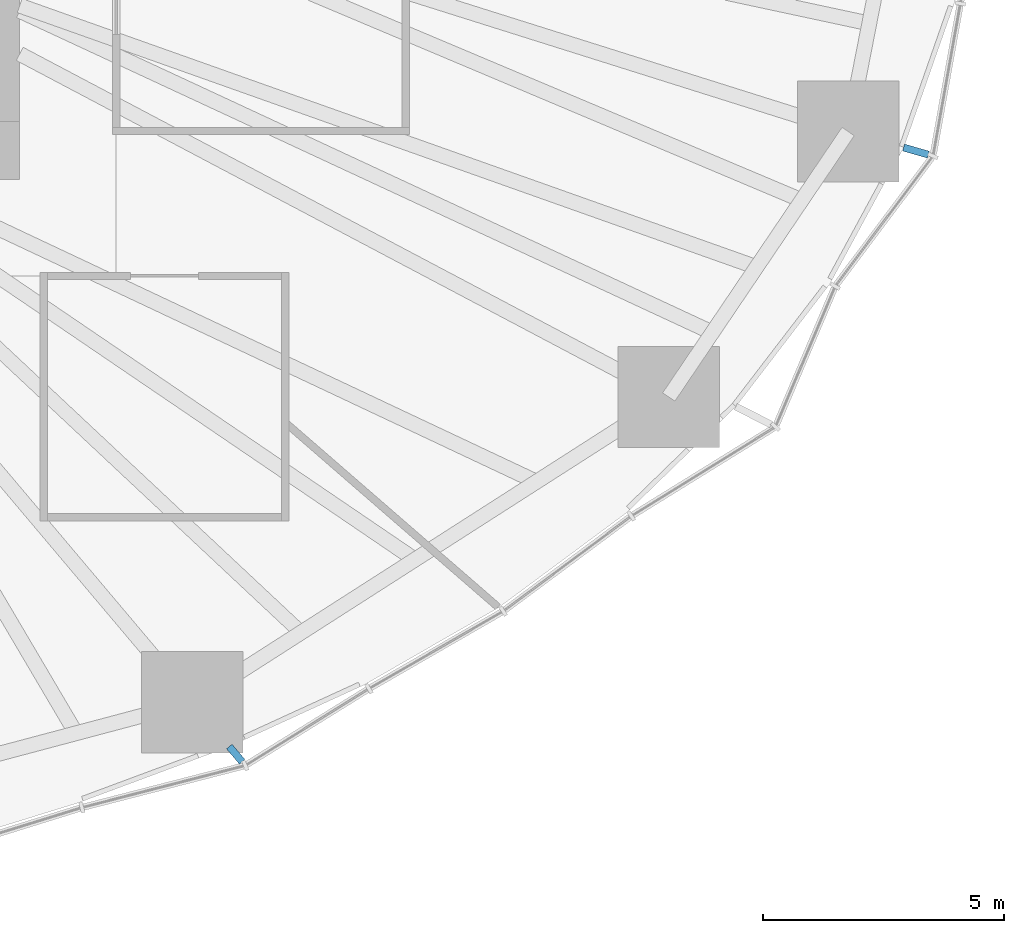
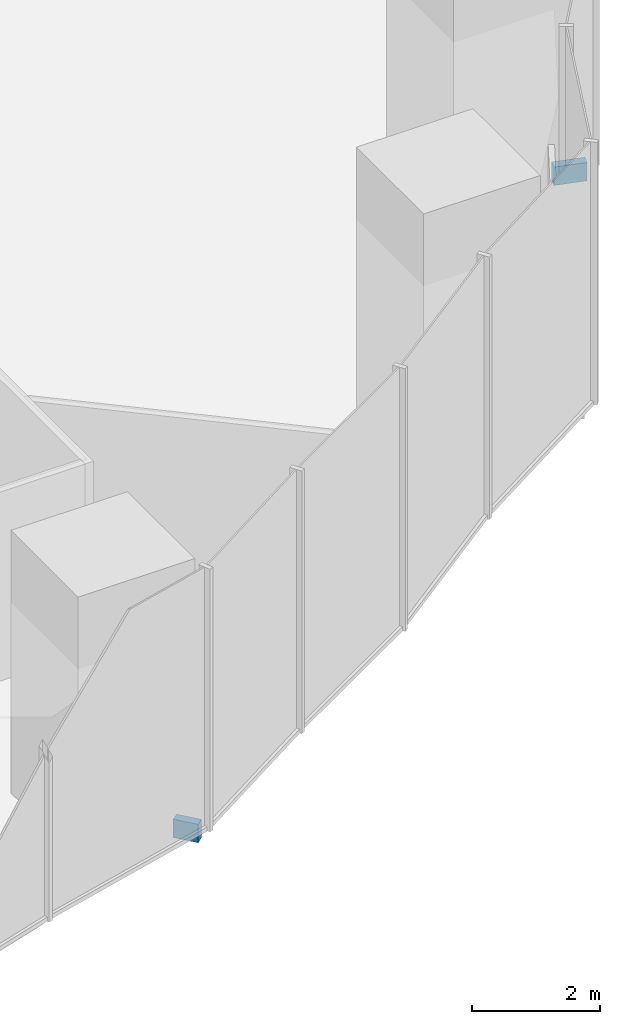
# One storey, part 14 of 20: 2 discrete accessories.
"""IFC4 building model written with IfcOpenShell, lengths in metres."""

from ifc_helpers import new_model, si_unit, direction, frame, origin, origin_2d, place, context, subcontext, project, spatial, rectangle, extrude, material, type_object, element, save


model = new_model("IFC4")

# Units and contexts
model_context = context("Model", 3, precision=1e-05, world=origin(), true_north=direction((0.0, 1.0)))
body_context = subcontext(model_context, "Body", "Model", "MODEL_VIEW")
ifc_project = project(units=[si_unit("LENGTHUNIT", "METRE"), si_unit("AREAUNIT", "SQUARE_METRE"), si_unit("VOLUMEUNIT", "CUBIC_METRE"), si_unit("PLANEANGLEUNIT", "RADIAN"), si_unit("MASSUNIT", "GRAM", prefix="KILO")], contexts=[model_context])

# Site, building, storey
site_placement = place(None, origin())
site = spatial("IfcSite", under=ifc_project, at=site_placement, CompositionType="ELEMENT")
building_placement = place(site_placement, origin())
building = spatial("IfcBuilding", under=site, at=building_placement, Name="Ghaith Harvest Tower", CompositionType="ELEMENT")
storey_placement = place(building_placement, frame((0.0, 0.0, 25.0)))
storey = spatial("IfcBuildingStorey", under=building, at=storey_placement, Name="L05", CompositionType="ELEMENT", Elevation=25.0)

# Discrete accessories
ifc_material_1 = material(Name="Stainless steel grade 1.4401", Category="steel")
discrete_accessory_type_1 = type_object("IfcDiscreteAccessoryType", Name="CURTAIN WALL BRACKET 415", PredefinedType="BRACKET", material=ifc_material_1)
discrete_accessory_1_placement = place(storey_placement, frame((18.475830078125, -21.90966796875, -0.25), z_axis=(0.0, 0.0, 1.0), x_axis=(0.644657240069, -0.764471741025, 0.0)))
element("IfcDiscreteAccessory", 1, at=discrete_accessory_1_placement, inside=storey, type_object=discrete_accessory_type_1, Name="CW-F bracket 1 bay 18 L05", PredefinedType="BRACKET", context=body_context, shape_type="SweptSolid", body=[
    extrude(rectangle(XDim=0.4150390625, YDim=0.14990234375, at=origin_2d()), origin(), (0.0, 0.0, 1.0), 0.35009765625),
])
ifc_material_2 = material(Name="Stainless steel grade 1.4401", Category="steel")
discrete_accessory_type_2 = type_object("IfcDiscreteAccessoryType", Name="CURTAIN WALL BRACKET 535", PredefinedType="BRACKET", material=ifc_material_2)
discrete_accessory_2_placement = place(storey_placement, frame((32.570556640625, -9.41357421875, -0.25), z_axis=(0.0, 0.0, 1.0), x_axis=(0.960680349932, -0.277656739976, 0.0)))
element("IfcDiscreteAccessory", 2, at=discrete_accessory_2_placement, inside=storey, type_object=discrete_accessory_type_2, Name="CW-F bracket 1 bay 20 L05", PredefinedType="BRACKET", context=body_context, shape_type="SweptSolid", body=[
    extrude(rectangle(XDim=0.534912109375, YDim=0.14990234375, at=origin_2d()), origin(), (0.0, 0.0, 1.0), 0.35009765625),
])

save(model, "model.ifc")
